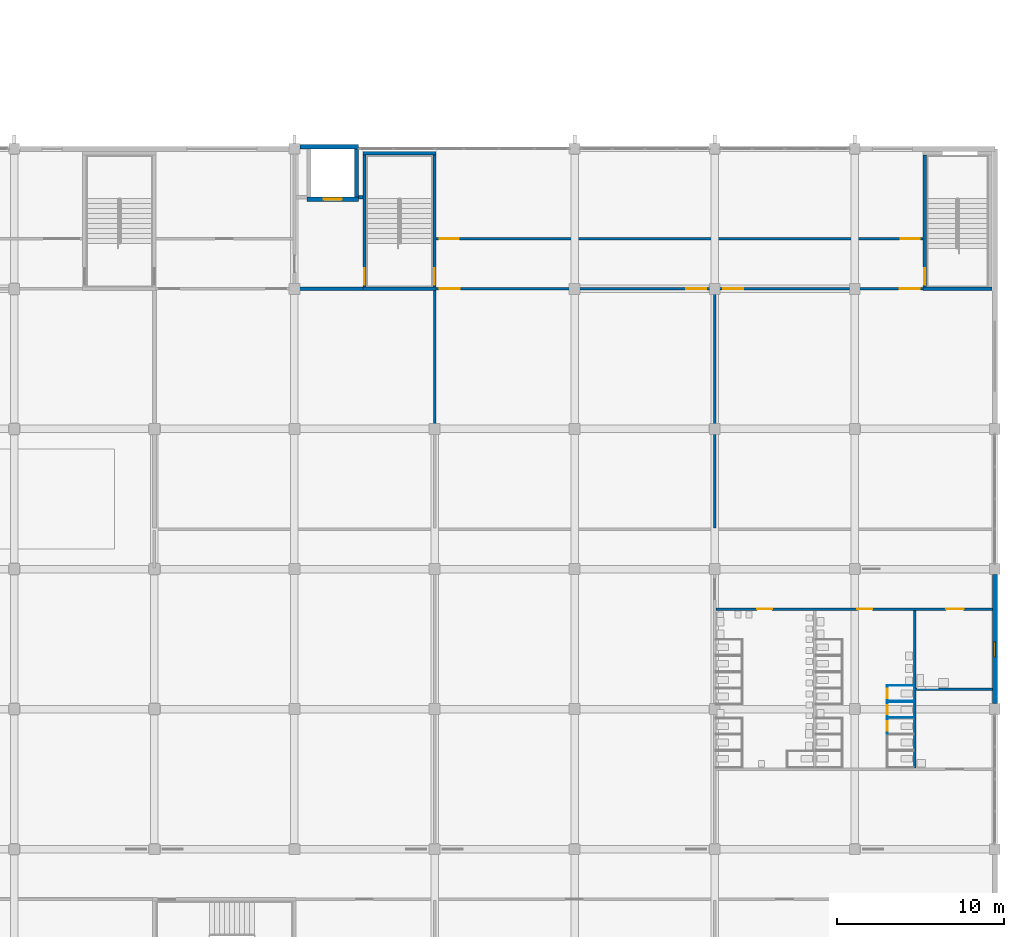
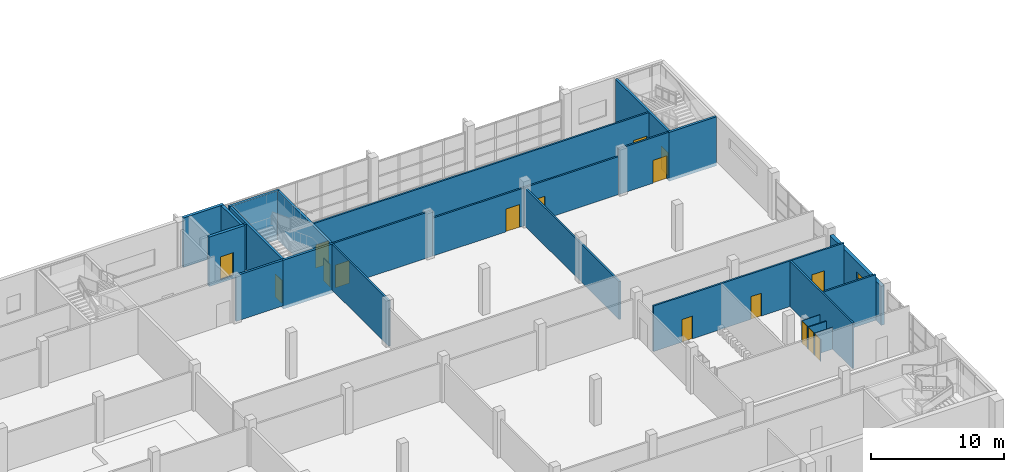
# One storey, part 34 of 64: 28 walls, 16 doors, 1 window, 17 openings.
"""IFC4 building model written with IfcOpenShell, lengths in metres."""

from ifc_helpers import new_model, si_unit, direction, frame, frame_2d, origin, place, context, subcontext, project, spatial, rectangle, extrude, material, layer, layer_set, type_object, element, fill, save


model = new_model("IFC4")

# Units and contexts
model_context = context("Model", 3, precision=1e-05, world=origin(), true_north=direction((0.0, 1.0)))
body_context = subcontext(model_context, "Body", "Model", "MODEL_VIEW")
ifc_project = project(units=[si_unit("LENGTHUNIT", "METRE"), si_unit("AREAUNIT", "SQUARE_METRE"), si_unit("VOLUMEUNIT", "CUBIC_METRE"), si_unit("PLANEANGLEUNIT", "RADIAN"), si_unit("MASSUNIT", "GRAM", prefix="KILO")], contexts=[model_context])

# Site, building, storey
site_placement = place(None, origin())
site = spatial("IfcSite", under=ifc_project, at=site_placement, CompositionType="ELEMENT")
building_placement = place(site_placement, origin())
building = spatial("IfcBuilding", under=site, at=building_placement, Name="Rulbaag Community and Learning Centre", CompositionType="ELEMENT")
storey_placement = place(building_placement, frame((0.0, 0.0, 5.39990234375)))
storey = spatial("IfcBuildingStorey", under=building, at=storey_placement, Name="L01", CompositionType="ELEMENT", Elevation=5.39990234375)

# Wall, opening, door
ifc_material_1 = material(Name="High pressure laminate", Category="wood")
ifc_layer_1 = layer(ifc_material_1, 0.0400390625)
ifc_layer_set_1 = layer_set([ifc_layer_1], Name="CP-40")
wall_type_1 = type_object("IfcWallType", Name="CP-40", PredefinedType="PARTITIONING", material=ifc_layer_set_1)
wall_1_placement = place(storey_placement, frame((161.550048828125, 15.330078125, 0.0), z_axis=(0.0, 0.0, 1.0), x_axis=(0.0, 1.0, 0.0)))
wall_1 = element("IfcWall", 1, at=wall_1_placement, inside=storey, type_object=wall_type_1, Name="Cubicle partition", PredefinedType="PARTITIONING", context=body_context, shape_type="SweptSolid", body=[
    extrude(rectangle(XDim=0.89990234375, YDim=0.0400390625, at=frame_2d((0.449951171875, 0.0))), origin(), (0.0, 0.0, 1.0), 2.0),
])
opening_1_placement = place(wall_1_placement, frame((0.050048828125, 0.0, 0.0)))
opening_1 = element("IfcOpeningElement", 2, at=opening_1_placement, cuts=wall_1, Name="Opening L01-D147", PredefinedType="OPENING", context=body_context, shape_type="SweptSolid", body=[
    extrude(rectangle(XDim=0.800048828125, YDim=2.0, at=frame_2d((0.39990234375, 1.0))), frame((0.0, 0.030029296875, 0.0), z_axis=(0.0, -1.0, 0.0), x_axis=(1.0, 0.0, 0.0)), (0.0, 0.0, 1.0), 0.06005859375),
])
door_type_1 = type_object("IfcDoorType", Name="DC-80", OperationType="SINGLE_SWING_LEFT", PredefinedType="DOOR", material=ifc_material_1)
door_1_placement = place(opening_1_placement, origin())
door_1 = element("IfcDoor", 3, at=door_1_placement, inside=storey, type_object=door_type_1, Name="Cubicle door", OperationType="SINGLE_SWING_LEFT", OverallHeight=2.0, OverallWidth=0.800048828125, PredefinedType="DOOR", context=body_context, shape_type="SweptSolid", body=[
    extrude(rectangle(XDim=0.800048828125, YDim=2.0, at=frame_2d((0.39990234375, 1.0))), frame((0.0, 0.019775390625, 0.0), z_axis=(0.0, -1.0, 0.0), x_axis=(1.0, 0.0, 0.0)), (0.0, 0.0, 1.0), 0.03955078125),
])
fill(opening_1, door_1)

# Walls
for number, where, z_axis, x_axis, name in (
    (4, (163.125, 16.2900390625, 0.0), (0.0, 0.0, 1.0), (-1.0, 0.0, 0.0), "Cubicle partition"),
    (5, (163.125, 17.22998046875, 0.0), (0.0, 0.0, 1.0), (-1.0, 0.0, 0.0), "Cubicle partition"),
):
    element("IfcWall", number, at=place(storey_placement, frame(where, z_axis=z_axis, x_axis=x_axis)), inside=storey, type_object=wall_type_1, Name=name, PredefinedType="PARTITIONING", context=body_context, shape_type="SweptSolid", body=[
        extrude(rectangle(XDim=1.594970703125, YDim=0.0400390625, at=frame_2d((0.79736328125, 0.0))), origin(), (0.0, 0.0, 1.0), 2.0),
    ])

# Wall, opening, door
wall_2_placement = place(storey_placement, frame((161.550048828125, 16.31005859375, 0.0), z_axis=(0.0, 0.0, 1.0), x_axis=(0.0, 1.0, 0.0)))
wall_2 = element("IfcWall", 6, at=wall_2_placement, inside=storey, type_object=wall_type_1, Name="Cubicle partition", PredefinedType="PARTITIONING", context=body_context, shape_type="SweptSolid", body=[
    extrude(rectangle(XDim=0.89990234375, YDim=0.0400390625, at=frame_2d((0.449951171875, 0.0))), origin(), (0.0, 0.0, 1.0), 2.0),
])
opening_2_placement = place(wall_2_placement, frame((0.050048828125, 0.0, 0.0)))
opening_2 = element("IfcOpeningElement", 7, at=opening_2_placement, cuts=wall_2, Name="Opening L01-D148", PredefinedType="OPENING", context=body_context, shape_type="SweptSolid", body=[
    extrude(rectangle(XDim=0.800048828125, YDim=2.0, at=frame_2d((0.39990234375, 1.0))), frame((0.0, 0.030029296875, 0.0), z_axis=(0.0, -1.0, 0.0), x_axis=(1.0, 0.0, 0.0)), (0.0, 0.0, 1.0), 0.06005859375),
])
door_2_placement = place(opening_2_placement, origin())
door_2 = element("IfcDoor", 8, at=door_2_placement, inside=storey, type_object=door_type_1, Name="Cubicle door", OperationType="SINGLE_SWING_LEFT", OverallHeight=2.0, OverallWidth=0.800048828125, PredefinedType="DOOR", context=body_context, shape_type="SweptSolid", body=[
    extrude(rectangle(XDim=0.800048828125, YDim=2.0, at=frame_2d((0.39990234375, 1.0))), frame((0.0, 0.019775390625, 0.0), z_axis=(0.0, -1.0, 0.0), x_axis=(1.0, 0.0, 0.0)), (0.0, 0.0, 1.0), 0.03955078125),
])
fill(opening_2, door_2)

# Walls
for number, where, z_axis, x_axis, name in (
    (9, (163.125, 17.27001953125, 0.0), (0.0, 0.0, 1.0), (-1.0, 0.0, 0.0), "Cubicle partition"),
    (10, (163.125, 18.2099609375, 0.0), (0.0, 0.0, 1.0), (-1.0, 0.0, 0.0), "Cubicle partition"),
):
    element("IfcWall", number, at=place(storey_placement, frame(where, z_axis=z_axis, x_axis=x_axis)), inside=storey, type_object=wall_type_1, Name=name, PredefinedType="PARTITIONING", context=body_context, shape_type="SweptSolid", body=[
        extrude(rectangle(XDim=1.594970703125, YDim=0.0400390625, at=frame_2d((0.79736328125, 0.0))), origin(), (0.0, 0.0, 1.0), 2.0),
    ])

# Wall, opening, door
wall_3_placement = place(storey_placement, frame((161.550048828125, 17.2900390625, 0.0), z_axis=(0.0, 0.0, 1.0), x_axis=(0.0, 1.0, 0.0)))
wall_3 = element("IfcWall", 11, at=wall_3_placement, inside=storey, type_object=wall_type_1, Name="Cubicle partition", PredefinedType="PARTITIONING", context=body_context, shape_type="SweptSolid", body=[
    extrude(rectangle(XDim=0.89990234375, YDim=0.0400390625, at=frame_2d((0.449951171875, 0.0))), origin(), (0.0, 0.0, 1.0), 2.0),
])
opening_3_placement = place(wall_3_placement, frame((0.050048828125, 0.0, 0.0)))
opening_3 = element("IfcOpeningElement", 12, at=opening_3_placement, cuts=wall_3, Name="Opening L01-D149", PredefinedType="OPENING", context=body_context, shape_type="SweptSolid", body=[
    extrude(rectangle(XDim=0.800048828125, YDim=2.0, at=frame_2d((0.39990234375, 1.0))), frame((0.0, 0.030029296875, 0.0), z_axis=(0.0, -1.0, 0.0), x_axis=(1.0, 0.0, 0.0)), (0.0, 0.0, 1.0), 0.06005859375),
])
door_3_placement = place(opening_3_placement, origin())
door_3 = element("IfcDoor", 13, at=door_3_placement, inside=storey, type_object=door_type_1, Name="Cubicle door", OperationType="SINGLE_SWING_LEFT", OverallHeight=2.0, OverallWidth=0.800048828125, PredefinedType="DOOR", context=body_context, shape_type="SweptSolid", body=[
    extrude(rectangle(XDim=0.800048828125, YDim=2.0, at=frame_2d((0.39990234375, 1.0))), frame((0.0, 0.019775390625, 0.0), z_axis=(0.0, -1.0, 0.0), x_axis=(1.0, 0.0, 0.0)), (0.0, 0.0, 1.0), 0.03955078125),
])
fill(opening_3, door_3)

# Wall, opening, window
ifc_material_2 = material(Name="Concrete M40", Category="concrete")
ifc_layer_2 = layer(ifc_material_2, 0.300048828125)
ifc_layer_set_2 = layer_set([ifc_layer_2], Name="EW-CONC300")
wall_type_2 = type_object("IfcWallType", Name="EW-CONC300", PredefinedType="STANDARD", material=ifc_layer_set_2)
wall_4_placement = place(storey_placement, frame((168.0, 17.125, 0.0), z_axis=(0.0, 0.0, 1.0), x_axis=(0.0, 1.0, 0.0)))
wall_4 = element("IfcWall", 14, at=wall_4_placement, inside=storey, type_object=wall_type_2, Name="Board-marked concrete cladding wall AE", PredefinedType="STANDARD", context=body_context, shape_type="SweptSolid", body=[
    extrude(rectangle(XDim=7.75, YDim=0.300048828125, at=frame_2d((3.875, 0.0))), origin(), (0.0, 0.0, 1.0), 3.60009765625),
])
opening_4_placement = place(wall_4_placement, frame((2.824951171875, 0.0, 2.10009765625)))
opening_4 = element("IfcOpeningElement", 15, at=opening_4_placement, cuts=wall_4, Name="Opening WN5", PredefinedType="OPENING", context=body_context, shape_type="SweptSolid", body=[
    extrude(rectangle(XDim=0.89990234375, YDim=0.60009765625, at=frame_2d((0.449951171875, 0.300048828125))), frame((0.0, 0.159912109375, 0.0), z_axis=(0.0, -1.0, 0.0), x_axis=(1.0, 0.0, 0.0)), (0.0, 0.0, 1.0), 0.320068359375),
])
ifc_material_3 = material(Name="Aluminium", Category="aluminium")
window_type = type_object("IfcWindowType", Name="WK-09", PartitioningType="SINGLE_PANEL", PredefinedType="WINDOW", material=ifc_material_3)
window_placement = place(opening_4_placement, origin())
window = element("IfcWindow", 16, at=window_placement, inside=storey, type_object=window_type, Name="Window WN5", OverallHeight=0.60009765625, OverallWidth=0.89990234375, PartitioningType="SINGLE_PANEL", PredefinedType="WINDOW", context=body_context, shape_type="SweptSolid", body=[
    extrude(rectangle(XDim=0.89990234375, YDim=0.60009765625, at=frame_2d((0.449951171875, 0.300048828125))), frame((0.0, 0.030029296875, 0.0), z_axis=(0.0, -1.0, 0.0), x_axis=(1.0, 0.0, 0.0)), (0.0, 0.0, 1.0), 0.06005859375),
])
fill(opening_4, window)

# Walls
ifc_material_4 = material(Name="Concrete blockwork", Category="masonry")
ifc_layer_3 = layer(ifc_material_4, 0.199951171875)
ifc_layer_set_3 = layer_set([ifc_layer_3], Name="FW-200 FIRE WALL 200")
wall_type_3 = type_object("IfcWallType", Name="FW-200 FIRE WALL 200", PredefinedType="SOLIDWALL", material=ifc_layer_set_3)
wall_5_placement = place(storey_placement, frame((126.0, 42.0, 0.0), z_axis=(0.0, 0.0, 1.0), x_axis=(1.0, 0.0, 0.0)))
element("IfcWall", 17, at=wall_5_placement, inside=storey, type_object=wall_type_3, Name="Fire wall L01 27", PredefinedType="SOLIDWALL", context=body_context, shape_type="SweptSolid", body=[
    extrude(rectangle(XDim=4.10009765625, YDim=0.199951171875, at=frame_2d((2.050048828125, 0.0))), origin(), (0.0, 0.0, 1.0), 4.2001953125),
])
wall_6_placement = place(storey_placement, frame((129.85009765625, 47.5, 0.0), z_axis=(0.0, 0.0, 1.0), x_axis=(1.0, 0.0, 0.0)))
element("IfcWall", 18, at=wall_6_placement, inside=storey, type_object=wall_type_3, Name="Fire wall L01 36", PredefinedType="SOLIDWALL", context=body_context, shape_type="SweptSolid", body=[
    extrude(rectangle(XDim=0.25, YDim=0.199951171875, at=frame_2d((0.125, 0.0))), origin(), (0.0, 0.0, 1.0), 4.2001953125),
])
ifc_layer_4 = layer(ifc_material_4, 0.14990234375)
ifc_layer_set_4 = layer_set([ifc_layer_4], Name="IP-150 PARTITION 150")
wall_type_4 = type_object("IfcWallType", Name="IP-150 PARTITION 150", PredefinedType="PARTITIONING", material=ifc_layer_set_4)
wall_7_placement = place(storey_placement, frame((163.27490234375, 18.0, 0.0), z_axis=(0.0, 0.0, 1.0), x_axis=(1.0, 0.0, 0.0)))
element("IfcWall", 19, at=wall_7_placement, inside=storey, type_object=wall_type_4, Name="Partition L01 11", PredefinedType="PARTITIONING", context=body_context, shape_type="SweptSolid", body=[
    extrude(rectangle(XDim=4.5751953125, YDim=0.14990234375, at=frame_2d((2.28759765625, 0.0))), origin(), (0.0, 0.0, 1.0), 4.2001953125),
])

# Wall, openings, doors
wall_8_placement = place(storey_placement, frame((151.27490234375, 22.800048828125, 0.0), z_axis=(0.0, 0.0, 1.0), x_axis=(1.0, 0.0, 0.0)))
wall_8 = element("IfcWall", 20, at=wall_8_placement, inside=storey, type_object=wall_type_4, Name="Partition L01 14", PredefinedType="PARTITIONING", context=body_context, shape_type="SweptSolid", body=[
    extrude(rectangle(XDim=16.5751953125, YDim=0.14990234375, at=frame_2d((8.28759765625, 0.0))), origin(), (0.0, 0.0, 1.0), 4.2001953125),
])
opening_5_placement = place(wall_8_placement, frame((2.47509765625, 0.0, 0.0)))
opening_5 = element("IfcOpeningElement", 21, at=opening_5_placement, cuts=wall_8, Name="Opening L01-D124", PredefinedType="OPENING", context=body_context, shape_type="SweptSolid", body=[
    extrude(rectangle(XDim=0.89990234375, YDim=2.10009765625, at=frame_2d((0.449951171875, 1.050048828125))), frame((0.0, 0.0849609375, 0.0), z_axis=(0.0, -1.0, 0.0), x_axis=(1.0, 0.0, 0.0)), (0.0, 0.0, 1.0), 0.169921875),
])
opening_6_placement = place(wall_8_placement, frame((8.47509765625, 0.0, 0.0)))
opening_6 = element("IfcOpeningElement", 22, at=opening_6_placement, cuts=wall_8, Name="Opening L01-D139", PredefinedType="OPENING", context=body_context, shape_type="SweptSolid", body=[
    extrude(rectangle(XDim=0.89990234375, YDim=2.10009765625, at=frame_2d((0.449951171875, 1.050048828125))), frame((0.0, 0.0849609375, 0.0), z_axis=(0.0, -1.0, 0.0), x_axis=(1.0, 0.0, 0.0)), (0.0, 0.0, 1.0), 0.169921875),
])
opening_7_placement = place(wall_8_placement, frame((13.800048828125, 0.0, 0.0)))
opening_7 = element("IfcOpeningElement", 23, at=opening_7_placement, cuts=wall_8, Name="Opening L01-D161", PredefinedType="OPENING", context=body_context, shape_type="SweptSolid", body=[
    extrude(rectangle(XDim=1.050048828125, YDim=2.25, at=frame_2d((0.52490234375, 1.125))), frame((0.0, 0.0849609375, 0.0), z_axis=(0.0, -1.0, 0.0), x_axis=(1.0, 0.0, 0.0)), (0.0, 0.0, 1.0), 0.169921875),
])
ifc_material_5 = material(Name="Timber", Category="wood")
door_type_2 = type_object("IfcDoorType", Name="D-1050 ACCESSIBLE TOILET DOOR 1050 x 2250", OperationType="SINGLE_SWING_LEFT", PredefinedType="DOOR", material=ifc_material_5)
door_4_placement = place(opening_7_placement, origin())
door_4 = element("IfcDoor", 24, at=door_4_placement, inside=storey, type_object=door_type_2, Name="Door L01-D161", OperationType="SINGLE_SWING_RIGHT", OverallHeight=2.25, OverallWidth=1.050048828125, PredefinedType="DOOR", context=body_context, shape_type="SweptSolid", body=[
    extrude(rectangle(XDim=1.050048828125, YDim=2.25, at=frame_2d((0.52490234375, 1.125))), frame((0.0, 0.02490234375, 0.0), z_axis=(0.0, -1.0, 0.0), x_axis=(1.0, 0.0, 0.0)), (0.0, 0.0, 1.0), 0.050048828125),
])
fill(opening_7, door_4)
door_type_3 = type_object("IfcDoorType", Name="DW-900 TOILET DOOR 900 x 2100", OperationType="SINGLE_SWING_LEFT", PredefinedType="DOOR", material=ifc_material_5)
door_5_placement = place(opening_5_placement, origin())
door_5 = element("IfcDoor", 25, at=door_5_placement, inside=storey, type_object=door_type_3, Name="Door L01-D124", OperationType="SINGLE_SWING_LEFT", OverallHeight=2.10009765625, OverallWidth=0.89990234375, PredefinedType="DOOR", context=body_context, shape_type="SweptSolid", body=[
    extrude(rectangle(XDim=0.89990234375, YDim=2.10009765625, at=frame_2d((0.449951171875, 1.050048828125))), frame((0.0, 0.02490234375, 0.0), z_axis=(0.0, -1.0, 0.0), x_axis=(1.0, 0.0, 0.0)), (0.0, 0.0, 1.0), 0.050048828125),
])
fill(opening_5, door_5)
door_6_placement = place(opening_6_placement, origin())
door_6 = element("IfcDoor", 26, at=door_6_placement, inside=storey, type_object=door_type_3, Name="Door L01-D139", OperationType="SINGLE_SWING_RIGHT", OverallHeight=2.10009765625, OverallWidth=0.89990234375, PredefinedType="DOOR", context=body_context, shape_type="SweptSolid", body=[
    extrude(rectangle(XDim=0.89990234375, YDim=2.10009765625, at=frame_2d((0.449951171875, 1.050048828125))), frame((0.0, 0.02490234375, 0.0), z_axis=(0.0, -1.0, 0.0), x_axis=(1.0, 0.0, 0.0)), (0.0, 0.0, 1.0), 0.050048828125),
])
fill(opening_6, door_6)

# Wall, opening, door
wall_9_placement = place(storey_placement, frame((134.5, 42.0, 0.0), z_axis=(0.0, 0.0, 1.0), x_axis=(1.0, 0.0, 0.0)))
wall_9 = element("IfcWall", 27, at=wall_9_placement, inside=storey, type_object=wall_type_4, Name="Partition L01 28", PredefinedType="PARTITIONING", context=body_context, shape_type="SweptSolid", body=[
    extrude(rectangle(XDim=8.60498046875, YDim=0.14990234375, at=frame_2d((4.302490234375, 0.0))), origin(), (0.0, 0.0, 1.0), 4.2001953125),
])
opening_8_placement = place(wall_9_placement, frame((0.199951171875, 0.0, 0.0)))
opening_8 = element("IfcOpeningElement", 28, at=opening_8_placement, cuts=wall_9, Name="Opening L01-D092", PredefinedType="OPENING", context=body_context, shape_type="SweptSolid", body=[
    extrude(rectangle(XDim=1.199951171875, YDim=2.10009765625, at=frame_2d((0.60009765625, 1.050048828125))), frame((0.0, 0.0849609375, 0.0), z_axis=(0.0, -1.0, 0.0), x_axis=(1.0, 0.0, 0.0)), (0.0, 0.0, 1.0), 0.169921875),
])
door_type_4 = type_object("IfcDoorType", Name="DC-1200 CLASSROOM DOOR 1200 x 2100", OperationType="SINGLE_SWING_LEFT", PredefinedType="DOOR", material=ifc_material_5)
door_7_placement = place(opening_8_placement, origin())
door_7 = element("IfcDoor", 29, at=door_7_placement, inside=storey, type_object=door_type_4, Name="Door L01-D092", OperationType="SINGLE_SWING_RIGHT", OverallHeight=2.10009765625, OverallWidth=1.199951171875, PredefinedType="DOOR", context=body_context, shape_type="SweptSolid", body=[
    extrude(rectangle(XDim=1.199951171875, YDim=2.10009765625, at=frame_2d((0.60009765625, 1.050048828125))), frame((0.0, 0.02490234375, 0.0), z_axis=(0.0, -1.0, 0.0), x_axis=(1.0, 0.0, 0.0)), (0.0, 0.0, 1.0), 0.050048828125),
])
fill(opening_8, door_7)

# Wall, openings, doors
wall_10_placement = place(storey_placement, frame((143.10498046875, 42.0, 0.0), z_axis=(0.0, 0.0, 1.0), x_axis=(1.0, 0.0, 0.0)))
wall_10 = element("IfcWall", 30, at=wall_10_placement, inside=storey, type_object=wall_type_4, Name="Partition L01 28.2", PredefinedType="PARTITIONING", context=body_context, shape_type="SweptSolid", body=[
    extrude(rectangle(XDim=16.18994140625, YDim=0.14990234375, at=frame_2d((8.094970703125, 0.0))), origin(), (0.0, 0.0, 1.0), 3.5),
])
opening_9_placement = place(wall_10_placement, frame((6.39501953125, 0.0, 0.0)))
opening_9 = element("IfcOpeningElement", 31, at=opening_9_placement, cuts=wall_10, Name="Opening L01-D110", PredefinedType="OPENING", context=body_context, shape_type="SweptSolid", body=[
    extrude(rectangle(XDim=1.199951171875, YDim=2.10009765625, at=frame_2d((0.60009765625, 1.050048828125))), frame((0.0, 0.0849609375, 0.0), z_axis=(0.0, -1.0, 0.0), x_axis=(1.0, 0.0, 0.0)), (0.0, 0.0, 1.0), 0.169921875),
])
opening_10_placement = place(wall_10_placement, frame((8.594970703125, 0.0, 0.0)))
opening_10 = element("IfcOpeningElement", 32, at=opening_10_placement, cuts=wall_10, Name="Opening L01-D114", PredefinedType="OPENING", context=body_context, shape_type="SweptSolid", body=[
    extrude(rectangle(XDim=1.199951171875, YDim=2.10009765625, at=frame_2d((0.60009765625, 1.050048828125))), frame((0.0, 0.0849609375, 0.0), z_axis=(0.0, -1.0, 0.0), x_axis=(1.0, 0.0, 0.0)), (0.0, 0.0, 1.0), 0.169921875),
])
door_8_placement = place(opening_9_placement, origin())
door_8 = element("IfcDoor", 33, at=door_8_placement, inside=storey, type_object=door_type_4, Name="Door L01-D110", OperationType="SINGLE_SWING_LEFT", OverallHeight=2.10009765625, OverallWidth=1.199951171875, PredefinedType="DOOR", context=body_context, shape_type="SweptSolid", body=[
    extrude(rectangle(XDim=1.199951171875, YDim=2.10009765625, at=frame_2d((0.60009765625, 1.050048828125))), frame((0.0, 0.02490234375, 0.0), z_axis=(0.0, -1.0, 0.0), x_axis=(1.0, 0.0, 0.0)), (0.0, 0.0, 1.0), 0.050048828125),
])
fill(opening_9, door_8)
door_9_placement = place(opening_10_placement, origin())
door_9 = element("IfcDoor", 34, at=door_9_placement, inside=storey, type_object=door_type_4, Name="Door L01-D114", OperationType="SINGLE_SWING_LEFT", OverallHeight=2.10009765625, OverallWidth=1.199951171875, PredefinedType="DOOR", context=body_context, shape_type="SweptSolid", body=[
    extrude(rectangle(XDim=1.199951171875, YDim=2.10009765625, at=frame_2d((0.60009765625, 1.050048828125))), frame((0.0, 0.02490234375, 0.0), z_axis=(0.0, -1.0, 0.0), x_axis=(1.0, 0.0, 0.0)), (0.0, 0.0, 1.0), 0.050048828125),
])
fill(opening_10, door_9)

# Wall, opening, door
wall_11_placement = place(storey_placement, frame((159.294921875, 42.0, 0.0), z_axis=(0.0, 0.0, 1.0), x_axis=(1.0, 0.0, 0.0)))
wall_11 = element("IfcWall", 35, at=wall_11_placement, inside=storey, type_object=wall_type_4, Name="Partition L01 28.3", PredefinedType="PARTITIONING", context=body_context, shape_type="SweptSolid", body=[
    extrude(rectangle(XDim=4.405029296875, YDim=0.14990234375, at=frame_2d((2.20263671875, 0.0))), origin(), (0.0, 0.0, 1.0), 4.2001953125),
])
opening_11_placement = place(wall_11_placement, frame((3.0048828125, 0.0, 0.0)))
opening_11 = element("IfcOpeningElement", 36, at=opening_11_placement, cuts=wall_11, Name="Opening L01-D152", PredefinedType="OPENING", context=body_context, shape_type="SweptSolid", body=[
    extrude(rectangle(XDim=1.199951171875, YDim=2.10009765625, at=frame_2d((0.60009765625, 1.050048828125))), frame((0.0, 0.0849609375, 0.0), z_axis=(0.0, -1.0, 0.0), x_axis=(1.0, 0.0, 0.0)), (0.0, 0.0, 1.0), 0.169921875),
])
door_10_placement = place(opening_11_placement, origin())
door_10 = element("IfcDoor", 37, at=door_10_placement, inside=storey, type_object=door_type_4, Name="Door L01-D152", OperationType="SINGLE_SWING_LEFT", OverallHeight=2.10009765625, OverallWidth=1.199951171875, PredefinedType="DOOR", context=body_context, shape_type="SweptSolid", body=[
    extrude(rectangle(XDim=1.199951171875, YDim=2.10009765625, at=frame_2d((0.60009765625, 1.050048828125))), frame((0.0, 0.02490234375, 0.0), z_axis=(0.0, -1.0, 0.0), x_axis=(1.0, 0.0, 0.0)), (0.0, 0.0, 1.0), 0.050048828125),
])
fill(opening_11, door_10)

# Wall, openings, doors
wall_12_placement = place(storey_placement, frame((134.5, 45.0, 0.0), z_axis=(0.0, 0.0, 1.0), x_axis=(1.0, 0.0, 0.0)))
wall_12 = element("IfcWall", 38, at=wall_12_placement, inside=storey, type_object=wall_type_4, Name="Partition L01 34", PredefinedType="PARTITIONING", context=body_context, shape_type="SweptSolid", body=[
    extrude(rectangle(XDim=29.199951171875, YDim=0.14990234375, at=frame_2d((14.60009765625, 0.0))), origin(), (0.0, 0.0, 1.0), 4.2001953125),
])
opening_12_placement = place(wall_12_placement, frame((0.199951171875, 0.0, 0.0)))
opening_12 = element("IfcOpeningElement", 39, at=opening_12_placement, cuts=wall_12, Name="Opening L01-D091", PredefinedType="OPENING", context=body_context, shape_type="SweptSolid", body=[
    extrude(rectangle(XDim=1.14990234375, YDim=2.10009765625, at=frame_2d((0.574951171875, 1.050048828125))), frame((0.0, 0.0849609375, 0.0), z_axis=(0.0, -1.0, 0.0), x_axis=(1.0, 0.0, 0.0)), (0.0, 0.0, 1.0), 0.169921875),
])
opening_13_placement = place(wall_12_placement, frame((27.85009765625, 0.0, 0.0)))
opening_13 = element("IfcOpeningElement", 40, at=opening_13_placement, cuts=wall_12, Name="Opening L01-D153", PredefinedType="OPENING", context=body_context, shape_type="SweptSolid", body=[
    extrude(rectangle(XDim=1.14990234375, YDim=2.10009765625, at=frame_2d((0.574951171875, 1.050048828125))), frame((0.0, 0.0849609375, 0.0), z_axis=(0.0, -1.0, 0.0), x_axis=(1.0, 0.0, 0.0)), (0.0, 0.0, 1.0), 0.169921875),
])
door_type_5 = type_object("IfcDoorType", Name="D-1150 YOUTH ROOM DOOR 1150 x 2100", OperationType="SINGLE_SWING_LEFT", PredefinedType="DOOR", material=ifc_material_5)
door_11_placement = place(opening_12_placement, origin())
door_11 = element("IfcDoor", 41, at=door_11_placement, inside=storey, type_object=door_type_5, Name="Door L01-D091", OperationType="SINGLE_SWING_LEFT", OverallHeight=2.10009765625, OverallWidth=1.14990234375, PredefinedType="DOOR", context=body_context, shape_type="SweptSolid", body=[
    extrude(rectangle(XDim=1.14990234375, YDim=2.10009765625, at=frame_2d((0.574951171875, 1.050048828125))), frame((0.0, 0.02490234375, 0.0), z_axis=(0.0, -1.0, 0.0), x_axis=(1.0, 0.0, 0.0)), (0.0, 0.0, 1.0), 0.050048828125),
])
fill(opening_12, door_11)
door_12_placement = place(opening_13_placement, origin())
door_12 = element("IfcDoor", 42, at=door_12_placement, inside=storey, type_object=door_type_5, Name="Door L01-D153", OperationType="SINGLE_SWING_RIGHT", OverallHeight=2.10009765625, OverallWidth=1.14990234375, PredefinedType="DOOR", context=body_context, shape_type="SweptSolid", body=[
    extrude(rectangle(XDim=1.14990234375, YDim=2.10009765625, at=frame_2d((0.574951171875, 1.050048828125))), frame((0.0, 0.02490234375, 0.0), z_axis=(0.0, -1.0, 0.0), x_axis=(1.0, 0.0, 0.0)), (0.0, 0.0, 1.0), 0.050048828125),
])
fill(opening_13, door_12)

# Walls
wall_13_placement = place(storey_placement, frame((134.39990234375, 33.294921875, 0.0), z_axis=(0.0, 0.0, 1.0), x_axis=(0.0, 1.0, 0.0)))
element("IfcWall", 43, at=wall_13_placement, inside=storey, type_object=wall_type_4, Name="Partition L01 74.2", PredefinedType="PARTITIONING", context=body_context, shape_type="SweptSolid", body=[
    extrude(rectangle(XDim=8.80517578125, YDim=0.14990234375, at=frame_2d((4.402587890625, 0.0))), origin(), (0.0, 0.0, 1.0), 4.2001953125),
])
wall_14_placement = place(storey_placement, frame((151.199951171875, 27.675048828125, 0.0), z_axis=(0.0, 0.0, 1.0), x_axis=(0.0, 1.0, 0.0)))
element("IfcWall", 44, at=wall_14_placement, inside=storey, type_object=wall_type_4, Name="Partition L01 84", PredefinedType="PARTITIONING", context=body_context, shape_type="SweptSolid", body=[
    extrude(rectangle(XDim=14.25, YDim=0.14990234375, at=frame_2d((7.125, 0.0))), origin(), (0.0, 0.0, 1.0), 3.5),
])
wall_15_placement = place(storey_placement, frame((163.199951171875, 13.27490234375, 0.0), z_axis=(0.0, 0.0, 1.0), x_axis=(0.0, 1.0, 0.0)))
element("IfcWall", 45, at=wall_15_placement, inside=storey, type_object=wall_type_4, Name="Partition L01 92", PredefinedType="PARTITIONING", context=body_context, shape_type="SweptSolid", body=[
    extrude(rectangle(XDim=9.4501953125, YDim=0.14990234375, at=frame_2d((4.72509765625, 0.0))), origin(), (0.0, 0.0, 1.0), 4.2001953125),
])

# Wall, opening, door
ifc_layer_5 = layer(ifc_material_2, 0.25)
ifc_layer_set_5 = layer_set([ifc_layer_5], Name="W8 Lift shaft wall 250 Concrete M40")
wall_type_5 = type_object("IfcWallType", Name="W8 Lift shaft wall 250 Concrete M40", PredefinedType="SHEAR", material=ifc_layer_set_5)
wall_16_placement = place(storey_placement, frame((126.75, 47.375, -0.2998046875), z_axis=(0.0, 0.0, 1.0), x_axis=(1.0, 0.0, 0.0)))
wall_16 = element("IfcWall", 46, at=wall_16_placement, inside=storey, type_object=wall_type_5, Name="WL-LH3-S-L01", PredefinedType="SHEAR", context=body_context, shape_type="SweptSolid", body=[
    extrude(rectangle(XDim=3.10009765625, YDim=0.25, at=frame_2d((1.550048828125, 0.0))), origin(), (0.0, 0.0, 1.0), 4.5498046875),
])
opening_14_placement = place(wall_16_placement, frame((1.0, 0.0, 0.300048828125)))
opening_14 = element("IfcOpeningElement", 47, at=opening_14_placement, cuts=wall_16, Name="Opening L01-D086", PredefinedType="OPENING", context=body_context, shape_type="SweptSolid", body=[
    extrude(rectangle(XDim=1.10009765625, YDim=2.10009765625, at=frame_2d((0.550048828125, 1.050048828125))), frame((0.0, 0.135009765625, 0.0), z_axis=(0.0, -1.0, 0.0), x_axis=(1.0, 0.0, 0.0)), (0.0, 0.0, 1.0), 0.27001953125),
])
ifc_material_6 = material(Name="Stainless steel grade 304", Category="steel")
door_type_6 = type_object("IfcDoorType", Name="LD-1100 LIFT LANDING DOOR 1100 x 2100", OperationType="SLIDING_TO_LEFT", PredefinedType="DOOR", material=ifc_material_6)
door_13_placement = place(opening_14_placement, origin())
door_13 = element("IfcDoor", 48, at=door_13_placement, inside=storey, type_object=door_type_6, Name="Lift landing door LH3 L01", OperationType="SLIDING_TO_LEFT", OverallHeight=2.10009765625, OverallWidth=1.10009765625, PredefinedType="DOOR", context=body_context, shape_type="SweptSolid", body=[
    extrude(rectangle(XDim=1.10009765625, YDim=2.10009765625, at=frame_2d((0.550048828125, 1.050048828125))), frame((0.0, 0.02490234375, 0.0), z_axis=(0.0, -1.0, 0.0), x_axis=(1.0, 0.0, 0.0)), (0.0, 0.0, 1.0), 0.050048828125),
])
fill(opening_14, door_13)

# Walls
wall_17_placement = place(storey_placement, frame((126.324951171875, 50.52490234375, -0.2998046875), z_axis=(0.0, 0.0, 1.0), x_axis=(1.0, 0.0, 0.0)))
element("IfcWall", 49, at=wall_17_placement, inside=storey, type_object=wall_type_5, Name="WL-LH3-N-L01", PredefinedType="SHEAR", context=body_context, shape_type="SweptSolid", body=[
    extrude(rectangle(XDim=3.525146484375, YDim=0.25, at=frame_2d((1.7626953125, 0.0))), origin(), (0.0, 0.0, 1.0), 4.5498046875),
])
wall_18_placement = place(storey_placement, frame((129.72509765625, 47.5, -0.2998046875), z_axis=(0.0, 0.0, 1.0), x_axis=(0.0, 1.0, 0.0)))
element("IfcWall", 50, at=wall_18_placement, inside=storey, type_object=wall_type_5, Name="WL-LH3-E-L01", PredefinedType="SHEAR", context=body_context, shape_type="SweptSolid", body=[
    extrude(rectangle(XDim=2.89990234375, YDim=0.25, at=frame_2d((1.449951171875, 0.0))), origin(), (0.0, 0.0, 1.0), 4.5498046875),
])
ifc_layer_6 = layer(ifc_material_2, 0.199951171875)
ifc_layer_set_6 = layer_set([ifc_layer_6], Name="WSE Stair enclosure wall 200 Concrete M40")
wall_type_6 = type_object("IfcWallType", Name="WSE Stair enclosure wall 200 Concrete M40", PredefinedType="SHEAR", material=ifc_layer_set_6)
for number, where, z_axis, x_axis, name in (
    (51, (130.10009765625, 42.0, -0.2998046875), (0.0, 0.0, 1.0), (1.0, 0.0, 0.0), "Stair enclosure wall SH3 S L01"),
    (52, (130.10009765625, 50.125, -0.2998046875), (0.0, 0.0, 1.0), (1.0, 0.0, 0.0), "Stair enclosure wall SH3 N L01"),
):
    element("IfcWall", number, at=place(storey_placement, frame(where, z_axis=z_axis, x_axis=x_axis)), inside=storey, type_object=wall_type_6, Name=name, PredefinedType="SHEAR", context=body_context, shape_type="SweptSolid", body=[
        extrude(rectangle(XDim=4.39990234375, YDim=0.199951171875, at=frame_2d((2.199951171875, 0.0))), origin(), (0.0, 0.0, 1.0), 4.5),
    ])

# Wall, opening, door
wall_19_placement = place(storey_placement, frame((130.199951171875, 42.10009765625, -0.2998046875), z_axis=(0.0, 0.0, 1.0), x_axis=(0.0, 1.0, 0.0)))
wall_19 = element("IfcWall", 53, at=wall_19_placement, inside=storey, type_object=wall_type_6, Name="Stair enclosure wall SH3 W L01", PredefinedType="SHEAR", context=body_context, shape_type="SweptSolid", body=[
    extrude(rectangle(XDim=7.9248046875, YDim=0.199951171875, at=frame_2d((3.96240234375, 0.0))), origin(), (0.0, 0.0, 1.0), 4.5),
])
opening_15_placement = place(wall_19_placement, frame((0.14990234375, 0.0, 0.300048828125)))
opening_15 = element("IfcOpeningElement", 54, at=opening_15_placement, cuts=wall_19, Name="Opening L01-D088", PredefinedType="OPENING", context=body_context, shape_type="SweptSolid", body=[
    extrude(rectangle(XDim=1.0, YDim=2.10009765625, at=frame_2d((0.5, 1.050048828125))), frame((0.0, 0.10986328125, 0.0), z_axis=(0.0, -1.0, 0.0), x_axis=(1.0, 0.0, 0.0)), (0.0, 0.0, 1.0), 0.219970703125),
])
ifc_material_7 = material(Name="Galvanised steel", Category="steel")
door_type_7 = type_object("IfcDoorType", Name="FD-1000 FIRE DOOR 1000 x 2100", OperationType="SINGLE_SWING_LEFT", PredefinedType="DOOR", material=ifc_material_7)
door_14_placement = place(opening_15_placement, origin())
door_14 = element("IfcDoor", 55, at=door_14_placement, inside=storey, type_object=door_type_7, Name="Door L01-D088", OperationType="SINGLE_SWING_LEFT", OverallHeight=2.10009765625, OverallWidth=1.0, PredefinedType="DOOR", context=body_context, shape_type="SweptSolid", body=[
    extrude(rectangle(XDim=1.0, YDim=2.10009765625, at=frame_2d((0.5, 1.050048828125))), frame((0.0, 0.02490234375, 0.0), z_axis=(0.0, -1.0, 0.0), x_axis=(1.0, 0.0, 0.0)), (0.0, 0.0, 1.0), 0.050048828125),
])
fill(opening_15, door_14)

wall_20_placement = place(storey_placement, frame((134.39990234375, 42.10009765625, -0.2998046875), z_axis=(0.0, 0.0, 1.0), x_axis=(0.0, 1.0, 0.0)))
wall_20 = element("IfcWall", 56, at=wall_20_placement, inside=storey, type_object=wall_type_6, Name="Stair enclosure wall SH3 E L01", PredefinedType="SHEAR", context=body_context, shape_type="SweptSolid", body=[
    extrude(rectangle(XDim=7.9248046875, YDim=0.199951171875, at=frame_2d((3.96240234375, 0.0))), origin(), (0.0, 0.0, 1.0), 4.5),
])
opening_16_placement = place(wall_20_placement, frame((0.14990234375, 0.0, 0.300048828125)))
opening_16 = element("IfcOpeningElement", 57, at=opening_16_placement, cuts=wall_20, Name="Opening L01-D090", PredefinedType="OPENING", context=body_context, shape_type="SweptSolid", body=[
    extrude(rectangle(XDim=1.0, YDim=2.10009765625, at=frame_2d((0.5, 1.050048828125))), frame((0.0, 0.10986328125, 0.0), z_axis=(0.0, -1.0, 0.0), x_axis=(1.0, 0.0, 0.0)), (0.0, 0.0, 1.0), 0.219970703125),
])
door_15_placement = place(opening_16_placement, origin())
door_15 = element("IfcDoor", 58, at=door_15_placement, inside=storey, type_object=door_type_7, Name="Door L01-D090", OperationType="SINGLE_SWING_RIGHT", OverallHeight=2.10009765625, OverallWidth=1.0, PredefinedType="DOOR", context=body_context, shape_type="SweptSolid", body=[
    extrude(rectangle(XDim=1.0, YDim=2.10009765625, at=frame_2d((0.5, 1.050048828125))), frame((0.0, 0.02490234375, 0.0), z_axis=(0.0, -1.0, 0.0), x_axis=(1.0, 0.0, 0.0)), (0.0, 0.0, 1.0), 0.050048828125),
])
fill(opening_16, door_15)

# Wall
wall_21_placement = place(storey_placement, frame((163.699951171875, 42.0, -0.2998046875), z_axis=(0.0, 0.0, 1.0), x_axis=(1.0, 0.0, 0.0)))
element("IfcWall", 59, at=wall_21_placement, inside=storey, type_object=wall_type_6, Name="Stair enclosure wall SH4 S L01", PredefinedType="SHEAR", context=body_context, shape_type="SweptSolid", body=[
    extrude(rectangle(XDim=4.125, YDim=0.199951171875, at=frame_2d((2.0625, 0.0))), origin(), (0.0, 0.0, 1.0), 4.5),
])

# Wall, opening, door
wall_22_placement = place(storey_placement, frame((163.800048828125, 42.10009765625, -0.2998046875), z_axis=(0.0, 0.0, 1.0), x_axis=(0.0, 1.0, 0.0)))
wall_22 = element("IfcWall", 60, at=wall_22_placement, inside=storey, type_object=wall_type_6, Name="Stair enclosure wall SH4 W L01", PredefinedType="SHEAR", context=body_context, shape_type="SweptSolid", body=[
    extrude(rectangle(XDim=7.9248046875, YDim=0.199951171875, at=frame_2d((3.96240234375, 0.0))), origin(), (0.0, 0.0, 1.0), 4.5),
])
opening_17_placement = place(wall_22_placement, frame((0.14990234375, 0.0, 0.300048828125)))
opening_17 = element("IfcOpeningElement", 61, at=opening_17_placement, cuts=wall_22, Name="Opening L01-D154", PredefinedType="OPENING", context=body_context, shape_type="SweptSolid", body=[
    extrude(rectangle(XDim=1.0, YDim=2.10009765625, at=frame_2d((0.5, 1.050048828125))), frame((0.0, 0.10986328125, 0.0), z_axis=(0.0, -1.0, 0.0), x_axis=(1.0, 0.0, 0.0)), (0.0, 0.0, 1.0), 0.219970703125),
])
door_16_placement = place(opening_17_placement, origin())
door_16 = element("IfcDoor", 62, at=door_16_placement, inside=storey, type_object=door_type_7, Name="Door L01-D154", OperationType="SINGLE_SWING_LEFT", OverallHeight=2.10009765625, OverallWidth=1.0, PredefinedType="DOOR", context=body_context, shape_type="SweptSolid", body=[
    extrude(rectangle(XDim=1.0, YDim=2.10009765625, at=frame_2d((0.5, 1.050048828125))), frame((0.0, 0.02490234375, 0.0), z_axis=(0.0, -1.0, 0.0), x_axis=(1.0, 0.0, 0.0)), (0.0, 0.0, 1.0), 0.050048828125),
])
fill(opening_17, door_16)

save(model, "model.ifc")
